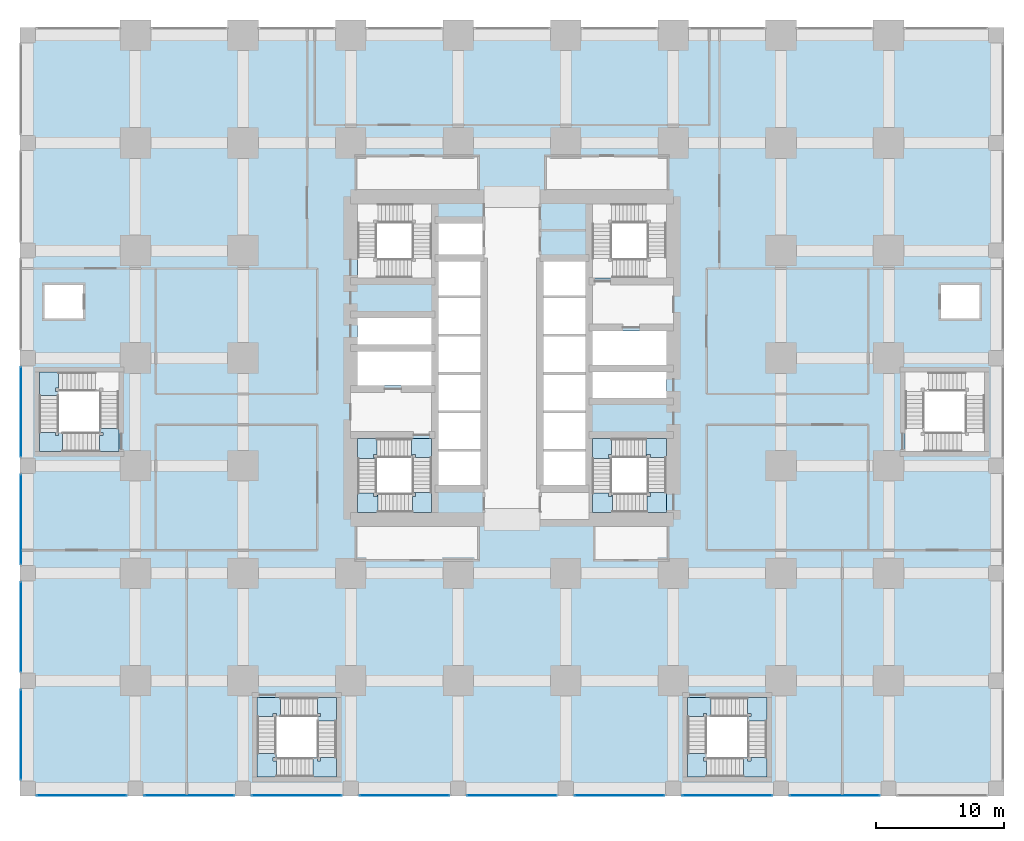
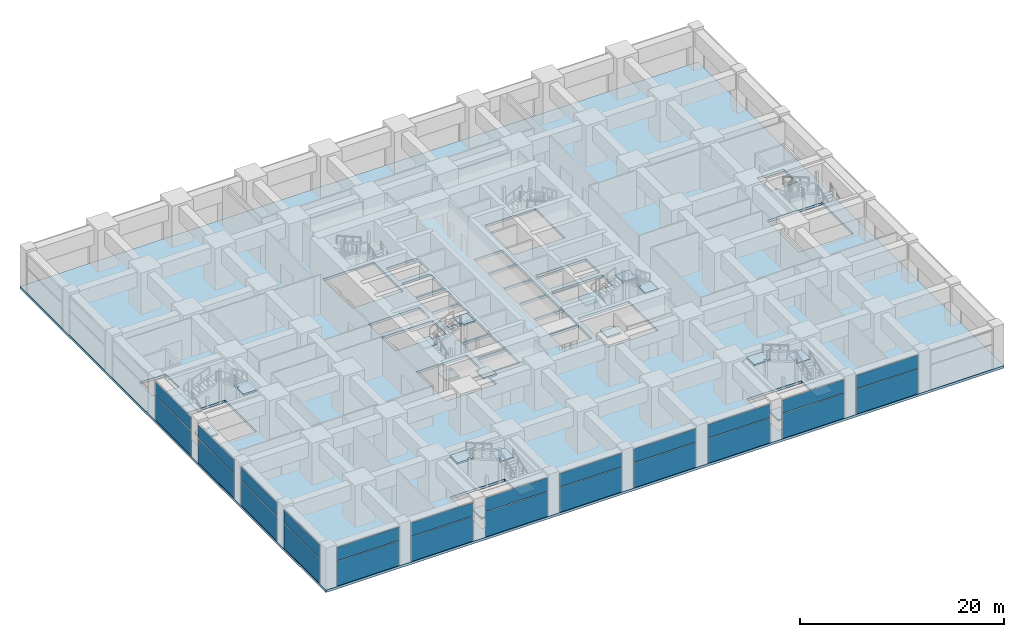
# One storey, part 34 of 49: 24 plates, 20 slabs, 17 elements without a shape of their own.
"""IFC4 building model written with IfcOpenShell, lengths in metres."""

from ifc_helpers import new_model, si_unit, direction, frame, origin, origin_2d, place, context, subcontext, project, spatial, polyline, rectangle, outline, extrude, material, layer, layer_set, type_object, element, aggregate, save


model = new_model("IFC4")

# Units and contexts
model_context = context("Model", 3, precision=1e-05, world=origin(), true_north=direction((0.0, 1.0)))
body_context = subcontext(model_context, "Body", "Model", "MODEL_VIEW")
ifc_project = project(units=[si_unit("LENGTHUNIT", "METRE"), si_unit("AREAUNIT", "SQUARE_METRE"), si_unit("VOLUMEUNIT", "CUBIC_METRE"), si_unit("PLANEANGLEUNIT", "RADIAN"), si_unit("MASSUNIT", "GRAM", prefix="KILO")], contexts=[model_context])

# Site, building, storey
site_placement = place(None, origin())
site = spatial("IfcSite", under=ifc_project, at=site_placement, CompositionType="ELEMENT")
building_placement = place(site_placement, origin())
building = spatial("IfcBuilding", under=site, at=building_placement, Name="Rekha Terrace Tower", CompositionType="ELEMENT")
storey_placement = place(building_placement, frame((0.0, 0.0, 10.39990234375)))
storey = spatial("IfcBuildingStorey", under=building, at=storey_placement, Name="L02", CompositionType="ELEMENT", Elevation=10.39990234375)

# Curtain wall, plates
ifc_material_1 = material(Name="Aluminium framing", Category="aluminium")
curtain_wall_type = type_object("IfcCurtainWallType", Name="CW4 podium shopfront glazing", PredefinedType="USERDEFINED", material=ifc_material_1)
curtain_wall_1_placement = place(storey_placement, origin())
curtain_wall_1 = element("IfcCurtainWall", 1, at=curtain_wall_1_placement, inside=storey, type_object=curtain_wall_type, Name="CW4 shopfront curtain wall", ObjectType="SHOPFRONT CURTAIN WALL", PredefinedType="USERDEFINED")
ifc_material_2 = material(Name="Laminated double-glazed unit 30", Category="glass")
ifc_layer_1 = layer(ifc_material_2, 0.030029296875)
ifc_layer_set_1 = layer_set([ifc_layer_1], Name="Laminated double-glazed unit 30")
plate_type = type_object("IfcPlateType", Name="CW4 jumbo vision panel, laminated double-glazed unit 30", PredefinedType="CURTAIN_PANEL", material=ifc_layer_set_1)
plate_1_placement = place(storey_placement, frame((4.199951171875, -0.5400390625, 0.000244140625), z_axis=(0.0, 0.0, 1.0), x_axis=(1.0, 0.0, 0.0)))
plate_1 = element("IfcPlate", 2, at=plate_1_placement, type_object=plate_type, Name="CW4 panel 1.1", PredefinedType="CURTAIN_PANEL", context=body_context, shape_type="SweptSolid", body=[
    extrude(rectangle(XDim=7.010009765625, YDim=0.030029296875, at=origin_2d()), origin(), (0.0, 0.0, 1.0), 2.96240234375),
])
plate_2_placement = place(storey_placement, frame((4.199951171875, -0.5400390625, 3.03759765625), z_axis=(0.0, 0.0, 1.0), x_axis=(1.0, 0.0, 0.0)))
plate_2 = element("IfcPlate", 3, at=plate_2_placement, type_object=plate_type, Name="CW4 panel 1.2", PredefinedType="CURTAIN_PANEL", context=body_context, shape_type="SweptSolid", body=[
    extrude(rectangle(XDim=7.010009765625, YDim=0.030029296875, at=origin_2d()), origin(), (0.0, 0.0, 1.0), 1.58740234375),
])
aggregate(curtain_wall_1, [plate_1, plate_2])

curtain_wall_2_placement = place(storey_placement, origin())
curtain_wall_2 = element("IfcCurtainWall", 4, at=curtain_wall_2_placement, inside=storey, type_object=curtain_wall_type, Name="CW4 shopfront curtain wall", ObjectType="SHOPFRONT CURTAIN WALL", PredefinedType="USERDEFINED")
plate_3_placement = place(storey_placement, frame((12.60009765625, -0.5400390625, 0.000244140625), z_axis=(0.0, 0.0, 1.0), x_axis=(1.0, 0.0, 0.0)))
plate_3 = element("IfcPlate", 5, at=plate_3_placement, type_object=plate_type, Name="CW4 panel 1.1", PredefinedType="CURTAIN_PANEL", context=body_context, shape_type="SweptSolid", body=[
    extrude(rectangle(XDim=7.010009765625, YDim=0.030029296875, at=origin_2d()), origin(), (0.0, 0.0, 1.0), 2.96240234375),
])
plate_4_placement = place(storey_placement, frame((12.60009765625, -0.5400390625, 3.03759765625), z_axis=(0.0, 0.0, 1.0), x_axis=(1.0, 0.0, 0.0)))
plate_4 = element("IfcPlate", 6, at=plate_4_placement, type_object=plate_type, Name="CW4 panel 1.2", PredefinedType="CURTAIN_PANEL", context=body_context, shape_type="SweptSolid", body=[
    extrude(rectangle(XDim=7.010009765625, YDim=0.030029296875, at=origin_2d()), origin(), (0.0, 0.0, 1.0), 1.58740234375),
])
aggregate(curtain_wall_2, [plate_3, plate_4])

curtain_wall_3_placement = place(storey_placement, origin())
curtain_wall_3 = element("IfcCurtainWall", 7, at=curtain_wall_3_placement, inside=storey, type_object=curtain_wall_type, Name="CW4 shopfront curtain wall", ObjectType="SHOPFRONT CURTAIN WALL", PredefinedType="USERDEFINED")
plate_5_placement = place(storey_placement, frame((21.0, -0.5400390625, 0.000244140625), z_axis=(0.0, 0.0, 1.0), x_axis=(1.0, 0.0, 0.0)))
plate_5 = element("IfcPlate", 8, at=plate_5_placement, type_object=plate_type, Name="CW4 panel 1.1", PredefinedType="CURTAIN_PANEL", context=body_context, shape_type="SweptSolid", body=[
    extrude(rectangle(XDim=7.010009765625, YDim=0.030029296875, at=origin_2d()), origin(), (0.0, 0.0, 1.0), 2.96240234375),
])
plate_6_placement = place(storey_placement, frame((21.0, -0.5400390625, 3.03759765625), z_axis=(0.0, 0.0, 1.0), x_axis=(1.0, 0.0, 0.0)))
plate_6 = element("IfcPlate", 9, at=plate_6_placement, type_object=plate_type, Name="CW4 panel 1.2", PredefinedType="CURTAIN_PANEL", context=body_context, shape_type="SweptSolid", body=[
    extrude(rectangle(XDim=7.010009765625, YDim=0.030029296875, at=origin_2d()), origin(), (0.0, 0.0, 1.0), 1.58740234375),
])
aggregate(curtain_wall_3, [plate_5, plate_6])

curtain_wall_4_placement = place(storey_placement, origin())
curtain_wall_4 = element("IfcCurtainWall", 10, at=curtain_wall_4_placement, inside=storey, type_object=curtain_wall_type, Name="CW4 shopfront curtain wall", ObjectType="SHOPFRONT CURTAIN WALL", PredefinedType="USERDEFINED")
plate_7_placement = place(storey_placement, frame((29.39990234375, -0.5400390625, 0.000244140625), z_axis=(0.0, 0.0, 1.0), x_axis=(1.0, 0.0, 0.0)))
plate_7 = element("IfcPlate", 11, at=plate_7_placement, type_object=plate_type, Name="CW4 panel 1.1", PredefinedType="CURTAIN_PANEL", context=body_context, shape_type="SweptSolid", body=[
    extrude(rectangle(XDim=7.010009765625, YDim=0.030029296875, at=origin_2d()), origin(), (0.0, 0.0, 1.0), 2.96240234375),
])
plate_8_placement = place(storey_placement, frame((29.39990234375, -0.5400390625, 3.03759765625), z_axis=(0.0, 0.0, 1.0), x_axis=(1.0, 0.0, 0.0)))
plate_8 = element("IfcPlate", 12, at=plate_8_placement, type_object=plate_type, Name="CW4 panel 1.2", PredefinedType="CURTAIN_PANEL", context=body_context, shape_type="SweptSolid", body=[
    extrude(rectangle(XDim=7.010009765625, YDim=0.030029296875, at=origin_2d()), origin(), (0.0, 0.0, 1.0), 1.58740234375),
])
aggregate(curtain_wall_4, [plate_7, plate_8])

curtain_wall_5_placement = place(storey_placement, origin())
curtain_wall_5 = element("IfcCurtainWall", 13, at=curtain_wall_5_placement, inside=storey, type_object=curtain_wall_type, Name="CW4 shopfront curtain wall", ObjectType="SHOPFRONT CURTAIN WALL", PredefinedType="USERDEFINED")
plate_9_placement = place(storey_placement, frame((37.800048828125, -0.5400390625, 0.000244140625), z_axis=(0.0, 0.0, 1.0), x_axis=(1.0, 0.0, 0.0)))
plate_9 = element("IfcPlate", 14, at=plate_9_placement, type_object=plate_type, Name="CW4 panel 1.1", PredefinedType="CURTAIN_PANEL", context=body_context, shape_type="SweptSolid", body=[
    extrude(rectangle(XDim=7.010009765625, YDim=0.030029296875, at=origin_2d()), origin(), (0.0, 0.0, 1.0), 2.96240234375),
])
plate_10_placement = place(storey_placement, frame((37.800048828125, -0.5400390625, 3.03759765625), z_axis=(0.0, 0.0, 1.0), x_axis=(1.0, 0.0, 0.0)))
plate_10 = element("IfcPlate", 15, at=plate_10_placement, type_object=plate_type, Name="CW4 panel 1.2", PredefinedType="CURTAIN_PANEL", context=body_context, shape_type="SweptSolid", body=[
    extrude(rectangle(XDim=7.010009765625, YDim=0.030029296875, at=origin_2d()), origin(), (0.0, 0.0, 1.0), 1.58740234375),
])
aggregate(curtain_wall_5, [plate_9, plate_10])

curtain_wall_6_placement = place(storey_placement, origin())
curtain_wall_6 = element("IfcCurtainWall", 16, at=curtain_wall_6_placement, inside=storey, type_object=curtain_wall_type, Name="CW4 shopfront curtain wall", ObjectType="SHOPFRONT CURTAIN WALL", PredefinedType="USERDEFINED")
plate_11_placement = place(storey_placement, frame((46.199951171875, -0.5400390625, 0.000244140625), z_axis=(0.0, 0.0, 1.0), x_axis=(1.0, 0.0, 0.0)))
plate_11 = element("IfcPlate", 17, at=plate_11_placement, type_object=plate_type, Name="CW4 panel 1.1", PredefinedType="CURTAIN_PANEL", context=body_context, shape_type="SweptSolid", body=[
    extrude(rectangle(XDim=7.010009765625, YDim=0.030029296875, at=origin_2d()), origin(), (0.0, 0.0, 1.0), 2.96240234375),
])
plate_12_placement = place(storey_placement, frame((46.199951171875, -0.5400390625, 3.03759765625), z_axis=(0.0, 0.0, 1.0), x_axis=(1.0, 0.0, 0.0)))
plate_12 = element("IfcPlate", 18, at=plate_12_placement, type_object=plate_type, Name="CW4 panel 1.2", PredefinedType="CURTAIN_PANEL", context=body_context, shape_type="SweptSolid", body=[
    extrude(rectangle(XDim=7.010009765625, YDim=0.030029296875, at=origin_2d()), origin(), (0.0, 0.0, 1.0), 1.58740234375),
])
aggregate(curtain_wall_6, [plate_11, plate_12])

curtain_wall_7_placement = place(storey_placement, origin())
curtain_wall_7 = element("IfcCurtainWall", 19, at=curtain_wall_7_placement, inside=storey, type_object=curtain_wall_type, Name="CW4 shopfront curtain wall", ObjectType="SHOPFRONT CURTAIN WALL", PredefinedType="USERDEFINED")
plate_13_placement = place(storey_placement, frame((54.60009765625, -0.5400390625, 0.000244140625), z_axis=(0.0, 0.0, 1.0), x_axis=(1.0, 0.0, 0.0)))
plate_13 = element("IfcPlate", 20, at=plate_13_placement, type_object=plate_type, Name="CW4 panel 1.1", PredefinedType="CURTAIN_PANEL", context=body_context, shape_type="SweptSolid", body=[
    extrude(rectangle(XDim=7.010009765625, YDim=0.030029296875, at=origin_2d()), origin(), (0.0, 0.0, 1.0), 2.96240234375),
])
plate_14_placement = place(storey_placement, frame((54.60009765625, -0.5400390625, 3.03759765625), z_axis=(0.0, 0.0, 1.0), x_axis=(1.0, 0.0, 0.0)))
plate_14 = element("IfcPlate", 21, at=plate_14_placement, type_object=plate_type, Name="CW4 panel 1.2", PredefinedType="CURTAIN_PANEL", context=body_context, shape_type="SweptSolid", body=[
    extrude(rectangle(XDim=7.010009765625, YDim=0.030029296875, at=origin_2d()), origin(), (0.0, 0.0, 1.0), 1.58740234375),
])
aggregate(curtain_wall_7, [plate_13, plate_14])

curtain_wall_8_placement = place(storey_placement, origin())
curtain_wall_8 = element("IfcCurtainWall", 22, at=curtain_wall_8_placement, inside=storey, type_object=curtain_wall_type, Name="CW4 shopfront curtain wall", ObjectType="SHOPFRONT CURTAIN WALL", PredefinedType="USERDEFINED")
plate_15_placement = place(storey_placement, frame((63.0, -0.5400390625, 0.000244140625), z_axis=(0.0, 0.0, 1.0), x_axis=(1.0, 0.0, 0.0)))
plate_15 = element("IfcPlate", 23, at=plate_15_placement, type_object=plate_type, Name="CW4 panel 1.1", PredefinedType="CURTAIN_PANEL", context=body_context, shape_type="SweptSolid", body=[
    extrude(rectangle(XDim=7.010009765625, YDim=0.030029296875, at=origin_2d()), origin(), (0.0, 0.0, 1.0), 2.96240234375),
])
plate_16_placement = place(storey_placement, frame((63.0, -0.5400390625, 3.03759765625), z_axis=(0.0, 0.0, 1.0), x_axis=(1.0, 0.0, 0.0)))
plate_16 = element("IfcPlate", 24, at=plate_16_placement, type_object=plate_type, Name="CW4 panel 1.2", PredefinedType="CURTAIN_PANEL", context=body_context, shape_type="SweptSolid", body=[
    extrude(rectangle(XDim=7.010009765625, YDim=0.030029296875, at=origin_2d()), origin(), (0.0, 0.0, 1.0), 1.58740234375),
])
aggregate(curtain_wall_8, [plate_15, plate_16])

curtain_wall_9_placement = place(storey_placement, origin())
curtain_wall_9 = element("IfcCurtainWall", 25, at=curtain_wall_9_placement, inside=storey, type_object=curtain_wall_type, Name="CW4 shopfront curtain wall", ObjectType="SHOPFRONT CURTAIN WALL", PredefinedType="USERDEFINED")
plate_17_placement = place(storey_placement, frame((-0.5400390625, 29.39990234375, 0.000244140625), z_axis=(0.0, 0.0, 1.0), x_axis=(0.0, -1.0, 0.0)))
plate_17 = element("IfcPlate", 26, at=plate_17_placement, type_object=plate_type, Name="CW4 panel 1.1", PredefinedType="CURTAIN_PANEL", context=body_context, shape_type="SweptSolid", body=[
    extrude(rectangle(XDim=7.010009765625, YDim=0.030029296875, at=origin_2d()), origin(), (0.0, 0.0, 1.0), 2.96240234375),
])
plate_18_placement = place(storey_placement, frame((-0.5400390625, 29.39990234375, 3.03759765625), z_axis=(0.0, 0.0, 1.0), x_axis=(0.0, -1.0, 0.0)))
plate_18 = element("IfcPlate", 27, at=plate_18_placement, type_object=plate_type, Name="CW4 panel 1.2", PredefinedType="CURTAIN_PANEL", context=body_context, shape_type="SweptSolid", body=[
    extrude(rectangle(XDim=7.010009765625, YDim=0.030029296875, at=origin_2d()), origin(), (0.0, 0.0, 1.0), 1.58740234375),
])
aggregate(curtain_wall_9, [plate_17, plate_18])

curtain_wall_10_placement = place(storey_placement, origin())
curtain_wall_10 = element("IfcCurtainWall", 28, at=curtain_wall_10_placement, inside=storey, type_object=curtain_wall_type, Name="CW4 shopfront curtain wall", ObjectType="SHOPFRONT CURTAIN WALL", PredefinedType="USERDEFINED")
plate_19_placement = place(storey_placement, frame((-0.5400390625, 21.0, 0.000244140625), z_axis=(0.0, 0.0, 1.0), x_axis=(0.0, -1.0, 0.0)))
plate_19 = element("IfcPlate", 29, at=plate_19_placement, type_object=plate_type, Name="CW4 panel 1.1", PredefinedType="CURTAIN_PANEL", context=body_context, shape_type="SweptSolid", body=[
    extrude(rectangle(XDim=7.010009765625, YDim=0.030029296875, at=origin_2d()), origin(), (0.0, 0.0, 1.0), 2.96240234375),
])
plate_20_placement = place(storey_placement, frame((-0.5400390625, 21.0, 3.03759765625), z_axis=(0.0, 0.0, 1.0), x_axis=(0.0, -1.0, 0.0)))
plate_20 = element("IfcPlate", 30, at=plate_20_placement, type_object=plate_type, Name="CW4 panel 1.2", PredefinedType="CURTAIN_PANEL", context=body_context, shape_type="SweptSolid", body=[
    extrude(rectangle(XDim=7.010009765625, YDim=0.030029296875, at=origin_2d()), origin(), (0.0, 0.0, 1.0), 1.58740234375),
])
aggregate(curtain_wall_10, [plate_19, plate_20])

curtain_wall_11_placement = place(storey_placement, origin())
curtain_wall_11 = element("IfcCurtainWall", 31, at=curtain_wall_11_placement, inside=storey, type_object=curtain_wall_type, Name="CW4 shopfront curtain wall", ObjectType="SHOPFRONT CURTAIN WALL", PredefinedType="USERDEFINED")
plate_21_placement = place(storey_placement, frame((-0.5400390625, 12.60009765625, 0.000244140625), z_axis=(0.0, 0.0, 1.0), x_axis=(0.0, -1.0, 0.0)))
plate_21 = element("IfcPlate", 32, at=plate_21_placement, type_object=plate_type, Name="CW4 panel 1.1", PredefinedType="CURTAIN_PANEL", context=body_context, shape_type="SweptSolid", body=[
    extrude(rectangle(XDim=7.010009765625, YDim=0.030029296875, at=origin_2d()), origin(), (0.0, 0.0, 1.0), 2.96240234375),
])
plate_22_placement = place(storey_placement, frame((-0.5400390625, 12.60009765625, 3.03759765625), z_axis=(0.0, 0.0, 1.0), x_axis=(0.0, -1.0, 0.0)))
plate_22 = element("IfcPlate", 33, at=plate_22_placement, type_object=plate_type, Name="CW4 panel 1.2", PredefinedType="CURTAIN_PANEL", context=body_context, shape_type="SweptSolid", body=[
    extrude(rectangle(XDim=7.010009765625, YDim=0.030029296875, at=origin_2d()), origin(), (0.0, 0.0, 1.0), 1.58740234375),
])
aggregate(curtain_wall_11, [plate_21, plate_22])

curtain_wall_12_placement = place(storey_placement, origin())
curtain_wall_12 = element("IfcCurtainWall", 34, at=curtain_wall_12_placement, inside=storey, type_object=curtain_wall_type, Name="CW4 shopfront curtain wall", ObjectType="SHOPFRONT CURTAIN WALL", PredefinedType="USERDEFINED")
plate_23_placement = place(storey_placement, frame((-0.5400390625, 4.199951171875, 0.000244140625), z_axis=(0.0, 0.0, 1.0), x_axis=(0.0, -1.0, 0.0)))
plate_23 = element("IfcPlate", 35, at=plate_23_placement, type_object=plate_type, Name="CW4 panel 1.1", PredefinedType="CURTAIN_PANEL", context=body_context, shape_type="SweptSolid", body=[
    extrude(rectangle(XDim=7.010009765625, YDim=0.030029296875, at=origin_2d()), origin(), (0.0, 0.0, 1.0), 2.96240234375),
])
plate_24_placement = place(storey_placement, frame((-0.5400390625, 4.199951171875, 3.03759765625), z_axis=(0.0, 0.0, 1.0), x_axis=(0.0, -1.0, 0.0)))
plate_24 = element("IfcPlate", 36, at=plate_24_placement, type_object=plate_type, Name="CW4 panel 1.2", PredefinedType="CURTAIN_PANEL", context=body_context, shape_type="SweptSolid", body=[
    extrude(rectangle(XDim=7.010009765625, YDim=0.030029296875, at=origin_2d()), origin(), (0.0, 0.0, 1.0), 1.58740234375),
])
aggregate(curtain_wall_12, [plate_23, plate_24])

# Stair, slabs
ifc_material_3 = material(Name="Concrete M40", Category="concrete")
stair_type_1 = type_object("IfcStairType", Name="ST40 stair, 40 risers of 125, going 320, 1500 wide flights, 4 flights", PredefinedType="QUARTER_TURN_STAIR", material=ifc_material_3)
stair_1_placement = place(storey_placement, origin())
stair_1 = element("IfcStair", 37, at=stair_1_placement, inside=storey, type_object=stair_type_1, Name="Stair SP1 L02 to L03", PredefinedType="QUARTER_TURN_STAIR")
ifc_layer_2 = layer(ifc_material_3, 0.199951171875)
ifc_layer_set_2 = layer_set([ifc_layer_2], Name="Concrete M40")
slab_type_1 = type_object("IfcSlabType", Name="LD1 200 concrete stair landing", PredefinedType="LANDING", material=ifc_layer_set_2)
slab_1_placement = place(storey_placement, frame((0.0, 0.0, 1.050048828125)))
slab_1 = element("IfcSlab", 38, at=slab_1_placement, type_object=slab_type_1, Name="SP1 landing 1", PredefinedType="LANDING", context=body_context, shape_type="SweptSolid", body=[
    extrude(outline(polyline([(0.89990234375, 27.800048828125), (0.89990234375, 26.300048828125), (2.719970703125, 26.300048828125), (2.719970703125, 27.800048828125), (2.39990234375, 27.800048828125), (2.39990234375, 27.550048828125), (2.14990234375, 27.550048828125), (2.14990234375, 27.800048828125), (0.89990234375, 27.800048828125)])), origin(), (0.0, 0.0, 1.0), 0.199951171875),
])
slab_2_placement = place(storey_placement, frame((0.0, 0.0, 2.300048828125)))
slab_2 = element("IfcSlab", 39, at=slab_2_placement, type_object=slab_type_1, Name="SP1 landing 2", PredefinedType="LANDING", context=body_context, shape_type="SweptSolid", body=[
    extrude(outline(polyline([(2.39990234375, 32.5), (0.89990234375, 32.5), (0.89990234375, 30.679931640625), (2.39990234375, 30.679931640625), (2.39990234375, 31.0), (2.14990234375, 31.0), (2.14990234375, 31.25), (2.39990234375, 31.25), (2.39990234375, 32.5)])), origin(), (0.0, 0.0, 1.0), 0.199951171875),
])
slab_3_placement = place(storey_placement, frame((0.0, 0.0, 4.800048828125)))
slab_3 = element("IfcSlab", 40, at=slab_3_placement, type_object=slab_type_1, Name="SP1 landing 4", PredefinedType="LANDING", context=body_context, shape_type="SweptSolid", body=[
    extrude(outline(polyline([(5.60009765625, 26.300048828125), (7.10009765625, 26.300048828125), (7.10009765625, 28.1201171875), (5.60009765625, 28.1201171875), (5.60009765625, 27.800048828125), (5.85009765625, 27.800048828125), (5.85009765625, 27.550048828125), (5.60009765625, 27.550048828125), (5.60009765625, 26.300048828125)])), origin(), (0.0, 0.0, 1.0), 0.199951171875),
])
aggregate(stair_1, [slab_1, slab_2, slab_3])

stair_2_placement = place(storey_placement, origin())
stair_2 = element("IfcStair", 41, at=stair_2_placement, inside=storey, type_object=stair_type_1, Name="Stair SP3 L02 to L03", PredefinedType="QUARTER_TURN_STAIR")
slab_4_placement = place(storey_placement, frame((0.0, 0.0, 1.050048828125)))
slab_4 = element("IfcSlab", 42, at=slab_4_placement, type_object=slab_type_1, Name="SP3 landing 1", PredefinedType="LANDING", context=body_context, shape_type="SweptSolid", body=[
    extrude(outline(polyline([(19.39990234375, 0.89990234375), (17.89990234375, 0.89990234375), (17.89990234375, 2.719970703125), (19.39990234375, 2.719970703125), (19.39990234375, 2.39990234375), (19.14990234375, 2.39990234375), (19.14990234375, 2.14990234375), (19.39990234375, 2.14990234375), (19.39990234375, 0.89990234375)])), origin(), (0.0, 0.0, 1.0), 0.199951171875),
])
slab_5_placement = place(storey_placement, frame((0.0, 0.0, 2.300048828125)))
slab_5 = element("IfcSlab", 43, at=slab_5_placement, type_object=slab_type_1, Name="SP3 landing 2", PredefinedType="LANDING", context=body_context, shape_type="SweptSolid", body=[
    extrude(outline(polyline([(24.10009765625, 2.39990234375), (24.10009765625, 0.89990234375), (22.280029296875, 0.89990234375), (22.280029296875, 2.39990234375), (22.60009765625, 2.39990234375), (22.60009765625, 2.14990234375), (22.85009765625, 2.14990234375), (22.85009765625, 2.39990234375), (24.10009765625, 2.39990234375)])), origin(), (0.0, 0.0, 1.0), 0.199951171875),
])
slab_6_placement = place(storey_placement, frame((0.0, 0.0, 3.550048828125)))
slab_6 = element("IfcSlab", 44, at=slab_6_placement, type_object=slab_type_1, Name="SP3 landing 3", PredefinedType="LANDING", context=body_context, shape_type="SweptSolid", body=[
    extrude(outline(polyline([(22.60009765625, 7.10009765625), (24.10009765625, 7.10009765625), (24.10009765625, 5.280029296875), (22.60009765625, 5.280029296875), (22.60009765625, 5.60009765625), (22.85009765625, 5.60009765625), (22.85009765625, 5.85009765625), (22.60009765625, 5.85009765625), (22.60009765625, 7.10009765625)])), origin(), (0.0, 0.0, 1.0), 0.199951171875),
])
slab_7_placement = place(storey_placement, frame((0.0, 0.0, 4.800048828125)))
slab_7 = element("IfcSlab", 45, at=slab_7_placement, type_object=slab_type_1, Name="SP3 landing 4", PredefinedType="LANDING", context=body_context, shape_type="SweptSolid", body=[
    extrude(outline(polyline([(17.89990234375, 5.60009765625), (17.89990234375, 7.10009765625), (19.719970703125, 7.10009765625), (19.719970703125, 5.60009765625), (19.39990234375, 5.60009765625), (19.39990234375, 5.85009765625), (19.14990234375, 5.85009765625), (19.14990234375, 5.60009765625), (17.89990234375, 5.60009765625)])), origin(), (0.0, 0.0, 1.0), 0.199951171875),
])
aggregate(stair_2, [slab_4, slab_5, slab_6, slab_7])

stair_3_placement = place(storey_placement, origin())
stair_3 = element("IfcStair", 46, at=stair_3_placement, inside=storey, type_object=stair_type_1, Name="Stair SP4 L02 to L03", PredefinedType="QUARTER_TURN_STAIR")
slab_8_placement = place(storey_placement, frame((0.0, 0.0, 1.050048828125)))
slab_8 = element("IfcSlab", 47, at=slab_8_placement, type_object=slab_type_1, Name="SP4 landing 1", PredefinedType="LANDING", context=body_context, shape_type="SweptSolid", body=[
    extrude(outline(polyline([(53.0, 0.89990234375), (51.5, 0.89990234375), (51.5, 2.719970703125), (53.0, 2.719970703125), (53.0, 2.39990234375), (52.75, 2.39990234375), (52.75, 2.14990234375), (53.0, 2.14990234375), (53.0, 0.89990234375)])), origin(), (0.0, 0.0, 1.0), 0.199951171875),
])
slab_9_placement = place(storey_placement, frame((0.0, 0.0, 2.300048828125)))
slab_9 = element("IfcSlab", 48, at=slab_9_placement, type_object=slab_type_1, Name="SP4 landing 2", PredefinedType="LANDING", context=body_context, shape_type="SweptSolid", body=[
    extrude(outline(polyline([(57.699951171875, 2.39990234375), (57.699951171875, 0.89990234375), (55.8798828125, 0.89990234375), (55.8798828125, 2.39990234375), (56.199951171875, 2.39990234375), (56.199951171875, 2.14990234375), (56.449951171875, 2.14990234375), (56.449951171875, 2.39990234375), (57.699951171875, 2.39990234375)])), origin(), (0.0, 0.0, 1.0), 0.199951171875),
])
slab_10_placement = place(storey_placement, frame((0.0, 0.0, 3.550048828125)))
slab_10 = element("IfcSlab", 49, at=slab_10_placement, type_object=slab_type_1, Name="SP4 landing 3", PredefinedType="LANDING", context=body_context, shape_type="SweptSolid", body=[
    extrude(outline(polyline([(56.199951171875, 7.10009765625), (57.699951171875, 7.10009765625), (57.699951171875, 5.280029296875), (56.199951171875, 5.280029296875), (56.199951171875, 5.60009765625), (56.449951171875, 5.60009765625), (56.449951171875, 5.85009765625), (56.199951171875, 5.85009765625), (56.199951171875, 7.10009765625)])), origin(), (0.0, 0.0, 1.0), 0.199951171875),
])
slab_11_placement = place(storey_placement, frame((0.0, 0.0, 4.800048828125)))
slab_11 = element("IfcSlab", 50, at=slab_11_placement, type_object=slab_type_1, Name="SP4 landing 4", PredefinedType="LANDING", context=body_context, shape_type="SweptSolid", body=[
    extrude(outline(polyline([(51.5, 5.60009765625), (51.5, 7.10009765625), (53.320068359375, 7.10009765625), (53.320068359375, 5.60009765625), (53.0, 5.60009765625), (53.0, 5.85009765625), (52.75, 5.85009765625), (52.75, 5.60009765625), (51.5, 5.60009765625)])), origin(), (0.0, 0.0, 1.0), 0.199951171875),
])
aggregate(stair_3, [slab_8, slab_9, slab_10, slab_11])

stair_type_2 = type_object("IfcStairType", Name="ST40 stair, 40 risers of 125, going 300, 1500 wide flights, 4 flights", PredefinedType="QUARTER_TURN_STAIR", material=ifc_material_3)
stair_4_placement = place(storey_placement, origin())
stair_4 = element("IfcStair", 51, at=stair_4_placement, inside=storey, type_object=stair_type_2, Name="Stair ST1 L02 to L03", PredefinedType="QUARTER_TURN_STAIR")
slab_12_placement = place(storey_placement, frame((0.0, 0.0, 1.050048828125)))
slab_12 = element("IfcSlab", 52, at=slab_12_placement, type_object=slab_type_1, Name="ST1 landing 1", PredefinedType="LANDING", context=body_context, shape_type="SweptSolid", body=[
    extrude(outline(polyline([(30.02490234375, 21.550048828125), (31.52490234375, 21.550048828125), (31.52490234375, 23.125), (30.02490234375, 23.125), (30.02490234375, 23.050048828125), (30.27490234375, 23.050048828125), (30.27490234375, 22.800048828125), (30.02490234375, 22.800048828125), (30.02490234375, 21.550048828125)])), origin(), (0.0, 0.0, 1.0), 0.199951171875),
])
slab_13_placement = place(storey_placement, frame((0.0, 0.0, 2.300048828125)))
slab_13 = element("IfcSlab", 53, at=slab_13_placement, type_object=slab_type_1, Name="ST1 landing 2", PredefinedType="LANDING", context=body_context, shape_type="SweptSolid", body=[
    extrude(outline(polyline([(25.75, 23.050048828125), (25.75, 21.550048828125), (27.324951171875, 21.550048828125), (27.324951171875, 23.050048828125), (27.25, 23.050048828125), (27.25, 22.800048828125), (27.0, 22.800048828125), (27.0, 23.050048828125), (25.75, 23.050048828125)])), origin(), (0.0, 0.0, 1.0), 0.199951171875),
])
slab_14_placement = place(storey_placement, frame((0.0, 0.0, 3.550048828125)))
slab_14 = element("IfcSlab", 54, at=slab_14_placement, type_object=slab_type_1, Name="ST1 landing 3", PredefinedType="LANDING", context=body_context, shape_type="SweptSolid", body=[
    extrude(outline(polyline([(27.25, 27.324951171875), (25.75, 27.324951171875), (25.75, 25.75), (27.25, 25.75), (27.25, 25.824951171875), (27.0, 25.824951171875), (27.0, 26.074951171875), (27.25, 26.074951171875), (27.25, 27.324951171875)])), origin(), (0.0, 0.0, 1.0), 0.199951171875),
])
slab_15_placement = place(storey_placement, frame((0.0, 0.0, 4.800048828125)))
slab_15 = element("IfcSlab", 55, at=slab_15_placement, type_object=slab_type_1, Name="ST1 landing 4", PredefinedType="LANDING", context=body_context, shape_type="SweptSolid", body=[
    extrude(outline(polyline([(31.52490234375, 25.824951171875), (31.52490234375, 27.324951171875), (29.949951171875, 27.324951171875), (29.949951171875, 25.824951171875), (30.02490234375, 25.824951171875), (30.02490234375, 26.074951171875), (30.27490234375, 26.074951171875), (30.27490234375, 25.824951171875), (31.52490234375, 25.824951171875)])), origin(), (0.0, 0.0, 1.0), 0.199951171875),
])
aggregate(stair_4, [slab_12, slab_13, slab_14, slab_15])

stair_5_placement = place(storey_placement, origin())
stair_5 = element("IfcStair", 56, at=stair_5_placement, inside=storey, type_object=stair_type_2, Name="Stair ST3 L02 to L03", PredefinedType="QUARTER_TURN_STAIR")
slab_16_placement = place(storey_placement, frame((0.0, 0.0, 1.050048828125)))
slab_16 = element("IfcSlab", 57, at=slab_16_placement, type_object=slab_type_1, Name="ST3 landing 1", PredefinedType="LANDING", context=body_context, shape_type="SweptSolid", body=[
    extrude(outline(polyline([(44.074951171875, 23.050048828125), (44.074951171875, 21.550048828125), (45.64990234375, 21.550048828125), (45.64990234375, 23.050048828125), (45.574951171875, 23.050048828125), (45.574951171875, 22.800048828125), (45.324951171875, 22.800048828125), (45.324951171875, 23.050048828125), (44.074951171875, 23.050048828125)])), origin(), (0.0, 0.0, 1.0), 0.199951171875),
])
slab_17_placement = place(storey_placement, frame((0.0, 0.0, 2.300048828125)))
slab_17 = element("IfcSlab", 58, at=slab_17_placement, type_object=slab_type_1, Name="ST3 landing 2", PredefinedType="LANDING", context=body_context, shape_type="SweptSolid", body=[
    extrude(outline(polyline([(45.574951171875, 27.324951171875), (44.074951171875, 27.324951171875), (44.074951171875, 25.75), (45.574951171875, 25.75), (45.574951171875, 25.824951171875), (45.324951171875, 25.824951171875), (45.324951171875, 26.074951171875), (45.574951171875, 26.074951171875), (45.574951171875, 27.324951171875)])), origin(), (0.0, 0.0, 1.0), 0.199951171875),
])
slab_18_placement = place(storey_placement, frame((0.0, 0.0, 3.550048828125)))
slab_18 = element("IfcSlab", 59, at=slab_18_placement, type_object=slab_type_1, Name="ST3 landing 3", PredefinedType="LANDING", context=body_context, shape_type="SweptSolid", body=[
    extrude(outline(polyline([(49.85009765625, 25.824951171875), (49.85009765625, 27.324951171875), (48.27490234375, 27.324951171875), (48.27490234375, 25.824951171875), (48.35009765625, 25.824951171875), (48.35009765625, 26.074951171875), (48.60009765625, 26.074951171875), (48.60009765625, 25.824951171875), (49.85009765625, 25.824951171875)])), origin(), (0.0, 0.0, 1.0), 0.199951171875),
])
slab_19_placement = place(storey_placement, frame((0.0, 0.0, 4.800048828125)))
slab_19 = element("IfcSlab", 60, at=slab_19_placement, type_object=slab_type_1, Name="ST3 landing 4", PredefinedType="LANDING", context=body_context, shape_type="SweptSolid", body=[
    extrude(outline(polyline([(48.35009765625, 21.550048828125), (49.85009765625, 21.550048828125), (49.85009765625, 23.125), (48.35009765625, 23.125), (48.35009765625, 23.050048828125), (48.60009765625, 23.050048828125), (48.60009765625, 22.800048828125), (48.35009765625, 22.800048828125), (48.35009765625, 21.550048828125)])), origin(), (0.0, 0.0, 1.0), 0.199951171875),
])
aggregate(stair_5, [slab_16, slab_17, slab_18, slab_19])

# Slab
ifc_material_4 = material(Name="Concrete M50", Category="concrete")
ifc_layer_3 = layer(ifc_material_4, 0.300048828125)
ifc_layer_set_3 = layer_set([ifc_layer_3], Name="Concrete M50")
slab_type_2 = type_object("IfcSlabType", Name="SL2 300 podium floor slab", PredefinedType="FLOOR", material=ifc_layer_set_3)
slab_20_placement = place(storey_placement, frame((0.0, 0.0, -0.2998046875)))
element("IfcSlab", 61, at=slab_20_placement, inside=storey, type_object=slab_type_2, Name="Podium floor slab L02", PredefinedType="FLOOR", context=body_context, shape_type="SweptSolid", body=[
    extrude(outline(polyline([(-0.60009765625, 59.39990234375), (-0.60009765625, -0.60009765625), (76.199951171875, -0.60009765625), (76.199951171875, 59.39990234375), (-0.60009765625, 59.39990234375)]), holes=[polyline([(24.10009765625, 7.10009765625), (24.10009765625, 0.89990234375), (17.89990234375, 0.89990234375), (17.89990234375, 7.10009765625), (24.10009765625, 7.10009765625)]), polyline([(31.52490234375, 21.550048828125), (25.75, 21.550048828125), (25.75, 27.324951171875), (31.52490234375, 27.324951171875), (31.52490234375, 21.550048828125)]), polyline([(35.324951171875, 23.675048828125), (32.074951171875, 23.675048828125), (32.074951171875, 26.300048828125), (35.324951171875, 26.300048828125), (35.324951171875, 23.675048828125)]), polyline([(35.324951171875, 29.300048828125), (35.324951171875, 26.5), (32.074951171875, 26.5), (32.074951171875, 29.300048828125), (35.324951171875, 29.300048828125)]), polyline([(7.10009765625, 26.300048828125), (0.89990234375, 26.300048828125), (0.89990234375, 32.5), (7.10009765625, 32.5), (7.10009765625, 26.300048828125)]), polyline([(35.324951171875, 29.5), (32.074951171875, 29.5), (32.074951171875, 32.300048828125), (35.324951171875, 32.300048828125), (35.324951171875, 29.5)]), polyline([(31.52490234375, 34.125), (31.52490234375, 31.47509765625), (25.75, 31.47509765625), (25.75, 34.125), (31.52490234375, 34.125)]), polyline([(35.324951171875, 32.5), (32.074951171875, 32.5), (32.074951171875, 35.300048828125), (35.324951171875, 35.300048828125), (35.324951171875, 32.5)]), polyline([(31.52490234375, 34.675048828125), (25.75, 34.675048828125), (25.75, 36.72509765625), (31.52490234375, 36.72509765625), (31.52490234375, 34.675048828125)]), polyline([(35.324951171875, 35.5), (32.074951171875, 35.5), (32.074951171875, 38.300048828125), (35.324951171875, 38.300048828125), (35.324951171875, 35.5)]), polyline([(4.300048828125, 36.699951171875), (1.300048828125, 36.699951171875), (1.300048828125, 39.300048828125), (4.300048828125, 39.300048828125), (4.300048828125, 36.699951171875)]), polyline([(35.324951171875, 38.5), (32.074951171875, 38.5), (32.074951171875, 41.125), (35.324951171875, 41.125), (35.324951171875, 38.5)]), polyline([(31.52490234375, 39.875), (25.75, 39.875), (25.75, 45.64990234375), (31.52490234375, 45.64990234375), (31.52490234375, 39.875)]), polyline([(35.5, 44.125), (35.5, 41.675048828125), (32.074951171875, 41.675048828125), (32.074951171875, 44.125), (35.5, 44.125)]), polyline([(57.699951171875, 0.89990234375), (51.5, 0.89990234375), (51.5, 7.10009765625), (57.699951171875, 7.10009765625), (57.699951171875, 0.89990234375)]), polyline([(49.85009765625, 21.550048828125), (44.074951171875, 21.550048828125), (44.074951171875, 27.324951171875), (49.85009765625, 27.324951171875), (49.85009765625, 21.550048828125)]), polyline([(43.52490234375, 23.675048828125), (40.27490234375, 23.675048828125), (40.27490234375, 26.300048828125), (43.52490234375, 26.300048828125), (43.52490234375, 23.675048828125)]), polyline([(43.52490234375, 26.5), (40.27490234375, 26.5), (40.27490234375, 29.300048828125), (43.52490234375, 29.300048828125), (43.52490234375, 26.5)]), polyline([(74.699951171875, 26.300048828125), (68.5, 26.300048828125), (68.5, 32.5), (74.699951171875, 32.5), (74.699951171875, 26.300048828125)]), polyline([(43.52490234375, 29.5), (40.27490234375, 29.5), (40.27490234375, 32.300048828125), (43.52490234375, 32.300048828125), (43.52490234375, 29.5)]), polyline([(49.85009765625, 32.52490234375), (49.85009765625, 30.47509765625), (44.074951171875, 30.47509765625), (44.074951171875, 32.52490234375), (49.85009765625, 32.52490234375)]), polyline([(43.52490234375, 32.5), (40.27490234375, 32.5), (40.27490234375, 35.300048828125), (43.52490234375, 35.300048828125), (43.52490234375, 32.5)]), polyline([(49.85009765625, 33.074951171875), (44.074951171875, 33.074951171875), (44.074951171875, 35.72509765625), (49.85009765625, 35.72509765625), (49.85009765625, 33.074951171875)]), polyline([(43.52490234375, 35.5), (40.27490234375, 35.5), (40.27490234375, 38.300048828125), (43.52490234375, 38.300048828125), (43.52490234375, 35.5)]), polyline([(74.300048828125, 36.699951171875), (71.300048828125, 36.699951171875), (71.300048828125, 39.300048828125), (74.300048828125, 39.300048828125), (74.300048828125, 36.699951171875)]), polyline([(43.52490234375, 38.5), (40.27490234375, 38.5), (40.27490234375, 41.125), (43.52490234375, 41.125), (43.52490234375, 38.5)]), polyline([(49.85009765625, 39.875), (44.074951171875, 39.875), (44.074951171875, 45.64990234375), (49.85009765625, 45.64990234375), (49.85009765625, 39.875)])]), origin(), (0.0, 0.0, 1.0), 0.2998046875),
])

save(model, "model.ifc")
